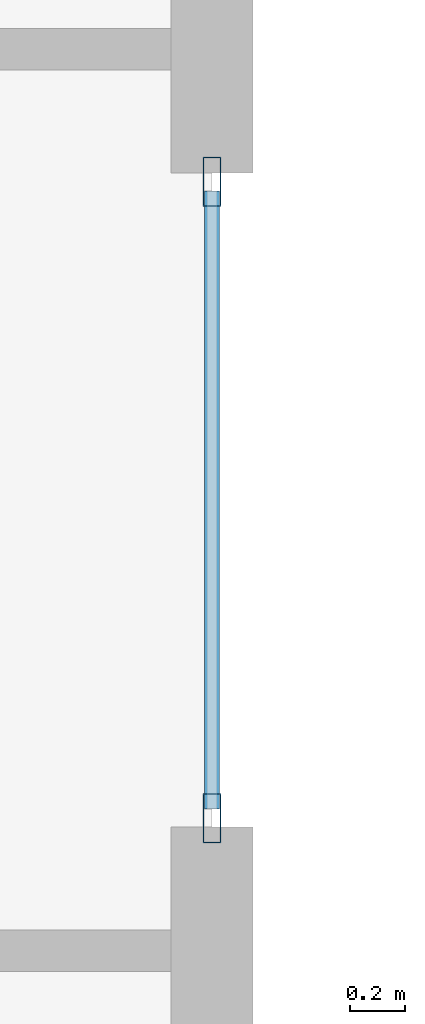
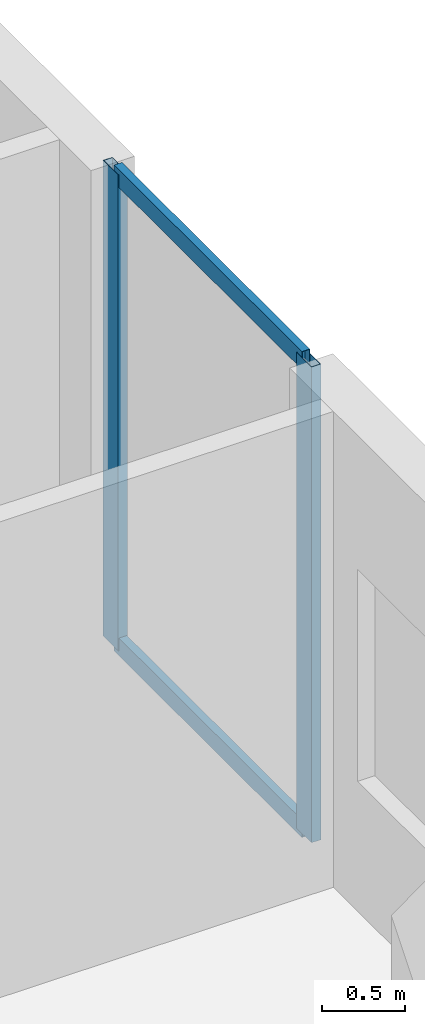
# One storey, part 11 of 24: 4 members, 1 element without a shape of its own.
"""IFC4 building model written with IfcOpenShell, lengths in metres."""

from ifc_helpers import new_model, si_unit, direction, frame, origin, origin_2d, place, context, subcontext, project, spatial, hollow_rectangle, extrude, material, layer, layer_set, material_profile, profile_set, type_object, element, aggregate, save


model = new_model("IFC4")

# Units and contexts
model_context = context("Model", 3, precision=1e-05, world=origin(), true_north=direction((0.0, 1.0)))
body_context = subcontext(model_context, "Body", "Model", "MODEL_VIEW")
ifc_project = project(units=[si_unit("LENGTHUNIT", "METRE"), si_unit("AREAUNIT", "SQUARE_METRE"), si_unit("VOLUMEUNIT", "CUBIC_METRE"), si_unit("PLANEANGLEUNIT", "RADIAN"), si_unit("MASSUNIT", "GRAM", prefix="KILO")], contexts=[model_context])

# Site, building, storey
site_placement = place(None, origin())
site = spatial("IfcSite", under=ifc_project, at=site_placement, CompositionType="ELEMENT")
building_placement = place(site_placement, origin())
building = spatial("IfcBuilding", under=site, at=building_placement, Name="Zuhayl Quay Hotel", CompositionType="ELEMENT")
storey_placement = place(building_placement, frame((0.0, 0.0, 280.35009765625)))
storey = spatial("IfcBuildingStorey", under=building, at=storey_placement, Name="L71", CompositionType="ELEMENT", Elevation=280.35009765625)

# Curtain wall, members
ifc_material_1 = material(Name="Anodised Aluminium 6063-T6", Category="aluminium")
ifc_layer = layer(ifc_material_1, 0.169921875, Name="Anodised Aluminium 6063-T6", Category="aluminium")
ifc_layer_set = layer_set([ifc_layer], Name="Anodised Aluminium 6063-T6")
curtain_wall_type = type_object("IfcCurtainWallType", Name="CW_SYS_Z4", PredefinedType="USERDEFINED", material=ifc_layer_set)
curtain_wall_placement = place(storey_placement, origin())
curtain_wall = element("IfcCurtainWall", 1, at=curtain_wall_placement, inside=storey, type_object=curtain_wall_type, Name="L71 Curtain Wall ENV_L71_E11_CW2", ObjectType="UNITISED CURTAIN WALL", PredefinedType="USERDEFINED")
ifc_material_2 = material(Name="Black-anodised aluminium 6063-T6", Category="aluminium")
ifc_material_profile_1 = material_profile(ifc_material_2, hollow_rectangle(XDim=0.06494140625, YDim=0.179931640625, WallThickness=0.00341796875, at=origin_2d()), Name="ALU180X65")
ifc_profile_set_1 = profile_set([ifc_material_profile_1], Name="Black-anodised aluminium 6063-T6")
member_type_1 = type_object("IfcMemberType", Name="MB_CW_MUL_180", PredefinedType="MULLION", material=ifc_profile_set_1)
member_1_placement = place(storey_placement, frame((20.199951171875, 28.8974609375, 0.0), z_axis=(0.0, 0.0, 1.0), x_axis=(1.0, 0.0, 0.0)))
member_1 = element("IfcMember", 2, at=member_1_placement, type_object=member_type_1, Name="CW-Z4 mullion 1", PredefinedType="MULLION", context=body_context, shape_type="SweptSolid", body=[
    extrude(hollow_rectangle(XDim=0.06494140625, YDim=0.179931640625, WallThickness=0.00341796875, at=origin_2d()), origin(), (0.0, 0.0, 1.0), 3.47998046875),
])
member_2_placement = place(storey_placement, frame((20.199951171875, 26.58251953125, 0.0), z_axis=(0.0, 0.0, 1.0), x_axis=(1.0, 0.0, 0.0)))
member_2 = element("IfcMember", 3, at=member_2_placement, type_object=member_type_1, Name="CW-Z4 mullion 2", PredefinedType="MULLION", context=body_context, shape_type="SweptSolid", body=[
    extrude(hollow_rectangle(XDim=0.06494140625, YDim=0.179931640625, WallThickness=0.00341796875, at=origin_2d()), origin(), (0.0, 0.0, 1.0), 3.47998046875),
])
ifc_material_profile_2 = material_profile(ifc_material_2, hollow_rectangle(XDim=0.054931640625, YDim=0.1298828125, WallThickness=0.0029296875, at=origin_2d()), Name="ALU130X55")
ifc_profile_set_2 = profile_set([ifc_material_profile_2], Name="Black-anodised aluminium 6063-T6")
member_type_2 = type_object("IfcMemberType", Name="MB_CW_TRN_130", PredefinedType="USERDEFINED", material=ifc_profile_set_2)
member_3_placement = place(storey_placement, frame((20.199951171875, 28.864990234375, 0.02734375), z_axis=(0.0, -1.0, 0.0), x_axis=(1.0, 0.0, 0.0)))
member_3 = element("IfcMember", 4, at=member_3_placement, type_object=member_type_2, Name="CW-Z4 transom 1.1", ObjectType="TRANSOM", PredefinedType="USERDEFINED", context=body_context, shape_type="SweptSolid", body=[
    extrude(hollow_rectangle(XDim=0.054931640625, YDim=0.1298828125, WallThickness=0.0029296875, at=origin_2d()), origin(), (0.0, 0.0, 1.0), 2.25),
])
member_4_placement = place(storey_placement, frame((20.199951171875, 28.864990234375, 3.452392578125), z_axis=(0.0, -1.0, 0.0), x_axis=(1.0, 0.0, 0.0)))
member_4 = element("IfcMember", 5, at=member_4_placement, type_object=member_type_2, Name="CW-Z4 transom 1.2", ObjectType="TRANSOM", PredefinedType="USERDEFINED", context=body_context, shape_type="SweptSolid", body=[
    extrude(hollow_rectangle(XDim=0.054931640625, YDim=0.1298828125, WallThickness=0.0029296875, at=origin_2d()), origin(), (0.0, 0.0, 1.0), 2.25),
])
aggregate(curtain_wall, [member_1, member_2, member_3, member_4])

save(model, "model.ifc")
